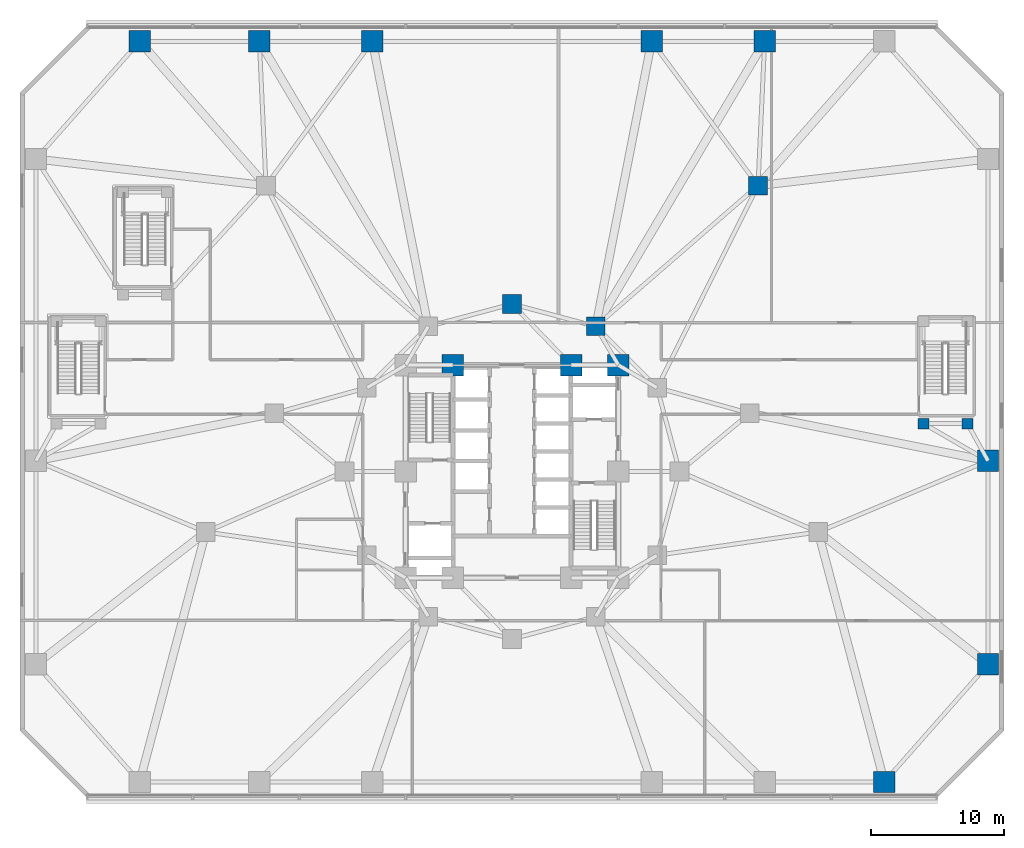
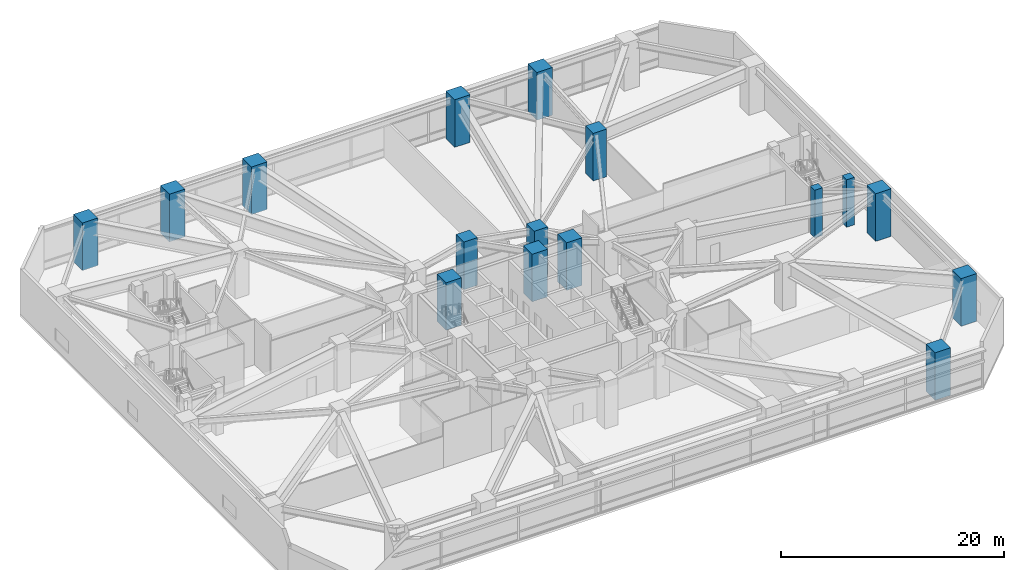
# One storey, part 3 of 27: 16 columns.
"""IFC4 building model written with IfcOpenShell, lengths in metres."""

from ifc_helpers import new_model, si_unit, direction, frame, origin, origin_2d, place, context, subcontext, project, spatial, rectangle, extrude, material, material_profile, profile_set, type_object, element, save


model = new_model("IFC4")

# Units and contexts
model_context = context("Model", 3, precision=1e-05, world=origin(), true_north=direction((0.0, 1.0)))
body_context = subcontext(model_context, "Body", "Model", "MODEL_VIEW")
ifc_project = project(units=[si_unit("LENGTHUNIT", "METRE"), si_unit("AREAUNIT", "SQUARE_METRE"), si_unit("VOLUMEUNIT", "CUBIC_METRE"), si_unit("PLANEANGLEUNIT", "RADIAN"), si_unit("MASSUNIT", "GRAM", prefix="KILO")], contexts=[model_context])

# Site, building, storey
site_placement = place(None, origin())
site = spatial("IfcSite", under=ifc_project, at=site_placement, CompositionType="ELEMENT")
building_placement = place(site_placement, origin())
building = spatial("IfcBuilding", under=site, at=building_placement, Name="Terralouvre Media Tower", CompositionType="ELEMENT")
storey_placement = place(building_placement, frame((0.0, 0.0, 15.60009765625)))
storey = spatial("IfcBuildingStorey", under=building, at=storey_placement, Name="L03", CompositionType="ELEMENT", Elevation=15.60009765625)

# Columns
ifc_material_1 = material(Name="Concrete C60/75", Category="concrete")
ifc_material_profile_1 = material_profile(ifc_material_1, rectangle(XDim=1.39990234375, YDim=1.39990234375, at=origin_2d()), Name="RC 1400x1400")
ifc_profile_set_1 = profile_set([ifc_material_profile_1], Name="Concrete C60/75")
column_type_1 = type_object("IfcColumnType", Name="Structural Column C-RC1400 (RC 1400x1400)", PredefinedType="COLUMN", material=ifc_profile_set_1)
for number, where, z_axis, x_axis, name in (
    (1, (6.300048828125, 10.911865234375, 0.0), (0.0, 0.0, 1.0), (1.0, 0.0, 0.0), "L03 Mega-Frame Column MC03"),
    (2, (0.0, 12.60009765625, 0.0), (0.0, 0.0, 1.0), (1.0, 0.0, 0.0), "L03 Mega-Frame Column MC04"),
    (3, (18.5, 21.5, 0.0), (0.0, 0.0, 1.0), (1.0, 0.0, 0.0), "L03 Podium Transfer Column PM20"),
):
    element("IfcColumn", number, at=place(storey_placement, frame(where, z_axis=z_axis, x_axis=x_axis)), inside=storey, type_object=column_type_1, Name=name, PredefinedType="COLUMN", context=body_context, shape_type="SweptSolid", body=[
        extrude(rectangle(XDim=1.39990234375, YDim=1.39990234375, at=origin_2d()), origin(), (0.0, 0.0, 1.0), 5.199951171875),
    ])
ifc_material_2 = material(Name="Concrete C60/75", Category="concrete")
ifc_material_profile_2 = material_profile(ifc_material_2, rectangle(XDim=1.60009765625, YDim=1.60009765625, at=origin_2d()), Name="RC 1600x1600")
ifc_profile_set_2 = profile_set([ifc_material_profile_2], Name="Concrete C60/75")
column_type_2 = type_object("IfcColumnType", Name="Structural Column C-RC1600 (RC 1600x1600)", PredefinedType="COLUMN", material=ifc_profile_set_2)
for number, where, z_axis, x_axis, name in (
    (4, (8.0, 8.0, 0.0), (0.0, 0.0, 1.0), (1.0, 0.0, 0.0), "L03 Core Pilaster Column CP5"),
    (5, (4.449951171875, 8.0, 0.0), (0.0, 0.0, 1.0), (1.0, 0.0, 0.0), "L03 Core Pilaster Column CP9"),
    (6, (-4.449951171875, 8.0, 0.0), (0.0, 0.0, 1.0), (1.0, 0.0, 0.0), "L03 Core Pilaster Column CP6"),
    (7, (28.0, -23.35009765625, 0.0), (0.0, 0.0, 1.0), (1.0, 0.0, 0.0), "L03 Perimeter Mega-Column PM06"),
    (8, (35.800048828125, -14.5, 0.0), (0.0, 0.0, 1.0), (1.0, 0.0, 0.0), "L03 Perimeter Mega-Column PM07"),
    (9, (35.800048828125, 0.800048828125, 0.0), (0.0, 0.0, 1.0), (1.0, 0.0, 0.0), "L03 Perimeter Mega-Column PM08"),
    (10, (19.0, 32.35009765625, 0.0), (0.0, 0.0, 1.0), (1.0, 0.0, 0.0), "L03 Perimeter Mega-Column PM11"),
    (11, (10.5, 32.35009765625, 0.0), (0.0, 0.0, 1.0), (1.0, 0.0, 0.0), "L03 Perimeter Mega-Column PM12"),
    (12, (-10.5, 32.35009765625, 0.0), (0.0, 0.0, 1.0), (1.0, 0.0, 0.0), "L03 Perimeter Mega-Column PM13"),
    (13, (-19.0, 32.35009765625, 0.0), (0.0, 0.0, 1.0), (1.0, 0.0, 0.0), "L03 Perimeter Mega-Column PM14"),
    (14, (-28.0, 32.35009765625, 0.0), (0.0, 0.0, 1.0), (1.0, 0.0, 0.0), "L03 Perimeter Mega-Column PM15"),
):
    element("IfcColumn", number, at=place(storey_placement, frame(where, z_axis=z_axis, x_axis=x_axis)), inside=storey, type_object=column_type_2, Name=name, PredefinedType="COLUMN", context=body_context, shape_type="SweptSolid", body=[
        extrude(rectangle(XDim=1.60009765625, YDim=1.60009765625, at=origin_2d()), origin(), (0.0, 0.0, 1.0), 5.199951171875),
    ])
ifc_material_3 = material(Name="Concrete C50/60", Category="concrete")
ifc_material_profile_3 = material_profile(ifc_material_3, rectangle(XDim=0.800048828125, YDim=0.800048828125, at=origin_2d()), Name="RC 800x800")
ifc_profile_set_3 = profile_set([ifc_material_profile_3], Name="Concrete C50/60")
column_type_3 = type_object("IfcColumnType", Name="Structural Column C-RC800 (RC 800x800)", PredefinedType="COLUMN", material=ifc_profile_set_3)
for number, where, z_axis, x_axis, name in (
    (15, (30.949951171875, 3.60009765625, 0.0), (0.0, 0.0, 1.0), (1.0, 0.0, 0.0), "L03 Stair Pavilion Support Column ST4C1"),
    (16, (34.25, 3.60009765625, 0.0), (0.0, 0.0, 1.0), (1.0, 0.0, 0.0), "L03 Stair Pavilion Support Column ST4C2"),
):
    element("IfcColumn", number, at=place(storey_placement, frame(where, z_axis=z_axis, x_axis=x_axis)), inside=storey, type_object=column_type_3, Name=name, PredefinedType="COLUMN", context=body_context, shape_type="SweptSolid", body=[
        extrude(rectangle(XDim=0.800048828125, YDim=0.800048828125, at=origin_2d()), origin(), (0.0, 0.0, 1.0), 5.199951171875),
    ])

save(model, "model.ifc")
